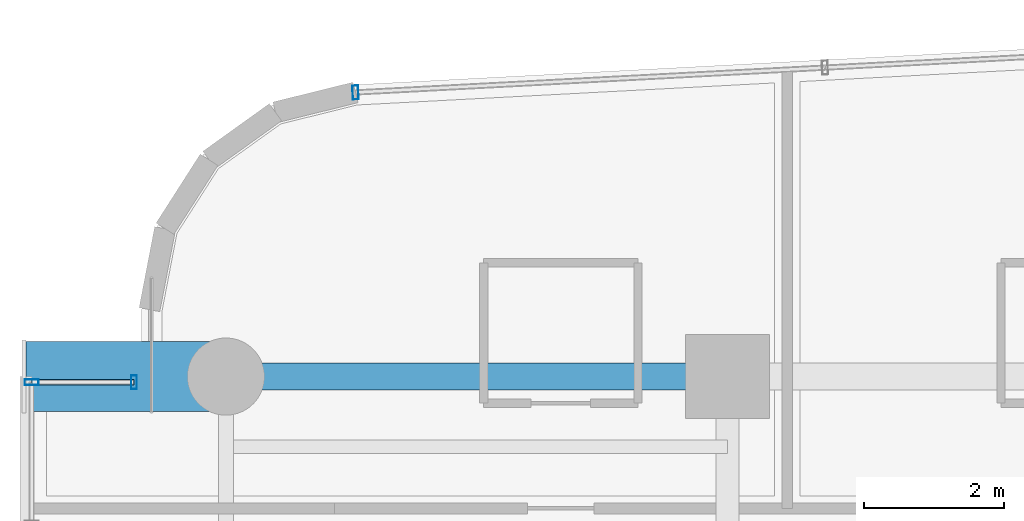
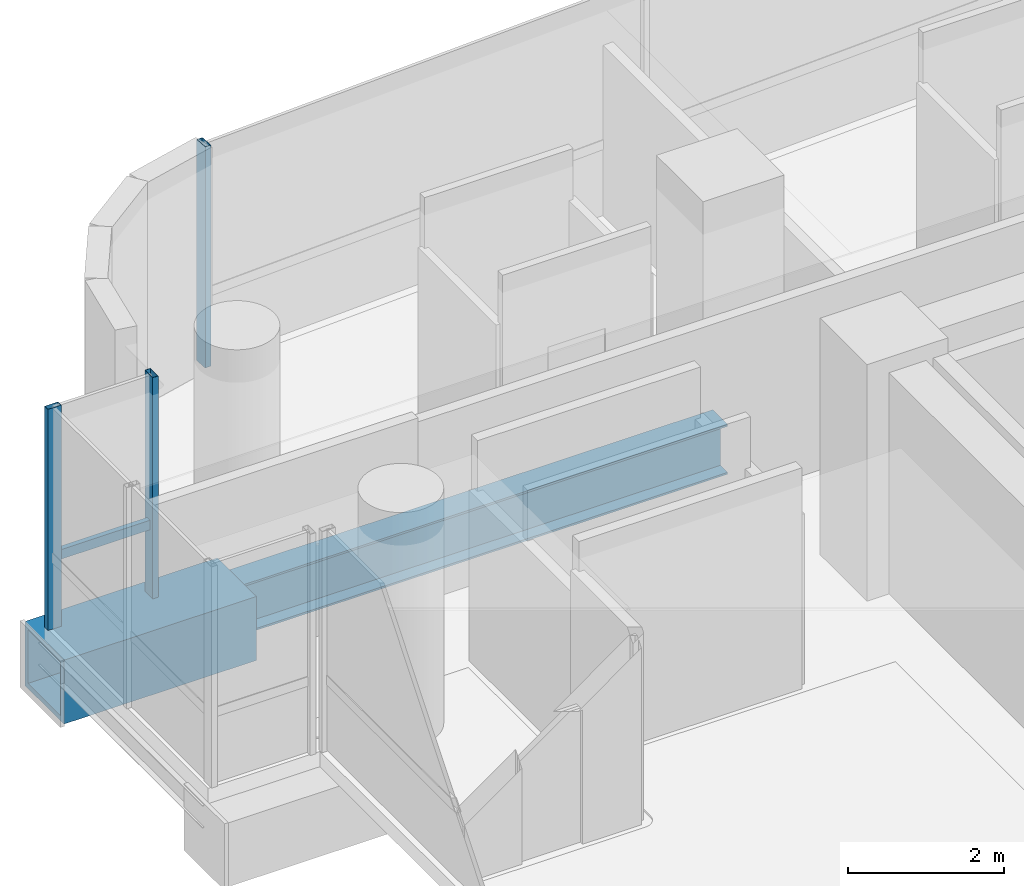
# One storey, part 20 of 36: 4 members, 2 beams, 3 elements without a shape of their own.
"""IFC4 building model written with IfcOpenShell, lengths in metres."""

from ifc_helpers import new_model, si_unit, direction, frame, origin, origin_2d, place, context, subcontext, project, spatial, hollow_rectangle, i_section, extrude, source, transform, mapped, material, material_profile, profile_set, type_object, element, aggregate, save


model = new_model("IFC4")

# Units and contexts
model_context = context("Model", 3, precision=1e-05, world=origin(), true_north=direction((0.0, 1.0)))
body_context = subcontext(model_context, "Body", "Model", "MODEL_VIEW")
ifc_project = project(units=[si_unit("LENGTHUNIT", "METRE"), si_unit("AREAUNIT", "SQUARE_METRE"), si_unit("VOLUMEUNIT", "CUBIC_METRE"), si_unit("PLANEANGLEUNIT", "RADIAN"), si_unit("MASSUNIT", "GRAM", prefix="KILO")], contexts=[model_context])

# Site, building, storey
site_placement = place(None, origin())
site = spatial("IfcSite", under=ifc_project, at=site_placement, CompositionType="ELEMENT")
building_placement = place(site_placement, origin())
building = spatial("IfcBuilding", under=site, at=building_placement, Name="Valdorenza Pilgrim Sanctuary Tower", CompositionType="ELEMENT")
storey_placement = place(building_placement, frame((0.0, 0.0, 153.800048828125)))
storey = spatial("IfcBuildingStorey", under=building, at=storey_placement, Name="L39", CompositionType="ELEMENT", Elevation=153.800048828125)

# Beams
ifc_material_1 = material(Name="Steel ASTM A992 Grade 50", Category="steel")
ifc_material_profile_1 = material_profile(ifc_material_1, i_section(OverallWidth=0.382080078125, OverallDepth=0.779052734375, WebThickness=0.01806640625, FlangeThickness=0.030029296875, at=origin_2d()), Name="W30X191")
ifc_profile_set_1 = profile_set([ifc_material_profile_1], Name="Steel ASTM A992 Grade 50")
beam_type_1 = type_object("IfcBeamType", Name="STR-BM-GRD-W30", PredefinedType="BEAM", material=ifc_profile_set_1)
shared_shape_1 = source(origin(), body_context, "Body", "SweptSolid", [
    extrude(i_section(OverallWidth=0.382080078125, OverallDepth=0.779052734375, WebThickness=0.01806640625, FlangeThickness=0.030029296875, at=origin_2d()), origin(), (0.0, 0.0, 1.0), 7.150146484375),
])
beam_1_placement = place(storey_placement, frame((-29.800048828125, 14.800048828125, -0.629638671875), z_axis=(1.0, 0.0, 0.0), x_axis=(0.0, 1.0, 0.0)))
element("IfcBeam", 1, at=beam_1_placement, inside=storey, type_object=beam_type_1, Name="L39 Floor Girder WA-XW-N2", PredefinedType="BEAM", context=body_context, shape_type="MappedRepresentation", body=[
    mapped(shared_shape_1, transform((0.0, 0.0, 0.0), x_axis=(1.0, 0.0, 0.0), y_axis=(0.0, 1.0, 0.0), z_axis=(0.0, 0.0, 1.0), scale=1.0)),
])
ifc_material_2 = material(Name="Steel ASTM A572 Grade 42", Category="steel")
ifc_material_profile_2 = material_profile(ifc_material_2, hollow_rectangle(XDim=1.0, YDim=1.0, WallThickness=0.080078125, at=origin_2d()), Name="BOX 1000x1000x80")
ifc_profile_set_2 = profile_set([ifc_material_profile_2], Name="Steel ASTM A572 Grade 42")
beam_type_2 = type_object("IfcBeamType", Name="STR-BM-PROW-CANT", PredefinedType="BEAM", material=ifc_profile_set_2)
shared_shape_2 = source(origin(), body_context, "Body", "SweptSolid", [
    extrude(hollow_rectangle(XDim=1.0, YDim=1.0, WallThickness=0.080078125, at=origin_2d()), origin(), (0.0, 0.0, 1.0), 2.849853515625),
])
beam_2_placement = place(storey_placement, frame((-29.800048828125, 14.800048828125, -0.739990234375), z_axis=(-1.0, 0.0, 0.0), x_axis=(0.0, -1.0, 0.0)))
element("IfcBeam", 2, at=beam_2_placement, inside=storey, type_object=beam_type_2, Name="L39 Glass Box Cantilever Beam BOX-WA-L39-CT-N", PredefinedType="BEAM", context=body_context, shape_type="MappedRepresentation", body=[
    mapped(shared_shape_2, transform((0.0, 0.0, 0.0), x_axis=(1.0, 0.0, 0.0), y_axis=(0.0, 1.0, 0.0), z_axis=(0.0, 0.0, 1.0), scale=1.0)),
])

# Curtain wall, member
ifc_material_3 = material(Name="Curtain-wall IGU glazing", Category="glass")
curtain_wall_type = type_object("IfcCurtainWallType", Name="CW-SYS-02", PredefinedType="NOTDEFINED", material=ifc_material_3)
curtain_wall_1_placement = place(storey_placement, origin())
curtain_wall_1 = element("IfcCurtainWall", 3, at=curtain_wall_1_placement, inside=storey, type_object=curtain_wall_type, Name="L39 Curtain Wall CW-L39-1-6", PredefinedType="NOTDEFINED")
ifc_material_4 = material(Name="Anodised aluminium AW-6060", Category="aluminium")
ifc_material_profile_3 = material_profile(ifc_material_4, hollow_rectangle(XDim=0.0849609375, YDim=0.199951171875, WallThickness=0.0048828125, at=origin_2d()), Name="ALU-M 200x85x5")
ifc_profile_set_3 = profile_set([ifc_material_profile_3], Name="Anodised aluminium AW-6060")
member_type_1 = type_object("IfcMemberType", Name="CW-MUL-02", PredefinedType="MULLION", material=ifc_profile_set_3)
shared_shape_3 = source(origin(), body_context, "Body", "SweptSolid", [
    extrude(hollow_rectangle(XDim=0.0849609375, YDim=0.199951171875, WallThickness=0.0048828125, at=origin_2d()), origin(), (0.0, 0.0, 1.0), 3.4599609375),
])
member_1_placement = place(storey_placement, frame((-27.952392578125, 18.850830078125, 0.0), z_axis=(0.0, 0.0, 1.0), x_axis=(0.998607524712, 0.052754256601, 0.0)))
member_1 = element("IfcMember", 4, at=member_1_placement, type_object=member_type_1, Name="CW-L39-1-6 Mullion 1", PredefinedType="MULLION", context=body_context, shape_type="MappedRepresentation", body=[
    mapped(shared_shape_3, transform((0.0, 0.0, 0.0), x_axis=(1.0, 0.0, 0.0), y_axis=(0.0, 1.0, 0.0), z_axis=(0.0, 0.0, 1.0), scale=1.0)),
])
aggregate(curtain_wall_1, [member_1])

curtain_wall_2_placement = place(storey_placement, origin())
curtain_wall_2 = element("IfcCurtainWall", 5, at=curtain_wall_2_placement, inside=storey, type_object=curtain_wall_type, Name="L39 Curtain Wall CW-L39-BOX-WA-L39-F", PredefinedType="NOTDEFINED")
member_2_placement = place(storey_placement, frame((-32.570068359375, 14.719970703125, 0.0), z_axis=(0.0, 0.0, 1.0), x_axis=(0.0, 1.0, 0.0)))
member_2 = element("IfcMember", 6, at=member_2_placement, type_object=member_type_1, Name="CW-L39-BOX-WA-L39-F Mullion 3", PredefinedType="MULLION", context=body_context, shape_type="MappedRepresentation", body=[
    mapped(shared_shape_3, transform((0.0, 0.0, 0.0), x_axis=(1.0, 0.0, 0.0), y_axis=(0.0, 1.0, 0.0), z_axis=(0.0, 0.0, 1.0), scale=1.0)),
])
aggregate(curtain_wall_2, [member_2])

# Curtain wall, members
curtain_wall_3_placement = place(storey_placement, origin())
curtain_wall_3 = element("IfcCurtainWall", 7, at=curtain_wall_3_placement, inside=storey, type_object=curtain_wall_type, Name="L39 Curtain Wall CW-L39-BOX-WA-L39-N", PredefinedType="NOTDEFINED")
member_3_placement = place(storey_placement, frame((-31.110107421875, 14.719970703125, 0.0), z_axis=(0.0, 0.0, 1.0), x_axis=(1.0, 0.0, 0.0)))
member_3 = element("IfcMember", 8, at=member_3_placement, type_object=member_type_1, Name="CW-L39-BOX-WA-L39-N Mullion 2", PredefinedType="MULLION", context=body_context, shape_type="MappedRepresentation", body=[
    mapped(shared_shape_3, transform((0.0, 0.0, 0.0), x_axis=(1.0, 0.0, 0.0), y_axis=(0.0, 1.0, 0.0), z_axis=(0.0, 0.0, 1.0), scale=1.0)),
])
ifc_material_profile_4 = material_profile(ifc_material_4, hollow_rectangle(XDim=0.074951171875, YDim=0.14990234375, WallThickness=0.00390625, at=origin_2d()), Name="ALU-T 150x75x4")
ifc_profile_set_4 = profile_set([ifc_material_profile_4], Name="Anodised aluminium AW-6060")
member_type_2 = type_object("IfcMemberType", Name="CW-TRN-02", PredefinedType="USERDEFINED", material=ifc_profile_set_4)
shared_shape_4 = source(origin(), body_context, "Body", "SweptSolid", [
    extrude(hollow_rectangle(XDim=0.074951171875, YDim=0.14990234375, WallThickness=0.00390625, at=origin_2d()), origin(), (0.0, 0.0, 1.0), 1.4599609375),
])
member_4_placement = place(storey_placement, frame((-32.570068359375, 14.719970703125, 1.119873046875), z_axis=(1.0, 0.0, 0.0), x_axis=(0.0, 1.0, 0.0)))
member_4 = element("IfcMember", 9, at=member_4_placement, type_object=member_type_2, Name="CW-L39-BOX-WA-L39-N Transom 1", ObjectType="TRANSOM", PredefinedType="USERDEFINED", context=body_context, shape_type="MappedRepresentation", body=[
    mapped(shared_shape_4, transform((0.0, 0.0, 0.0), x_axis=(1.0, 0.0, 0.0), y_axis=(0.0, 1.0, 0.0), z_axis=(0.0, 0.0, 1.0), scale=1.0)),
])
aggregate(curtain_wall_3, [member_3, member_4])

save(model, "model.ifc")
